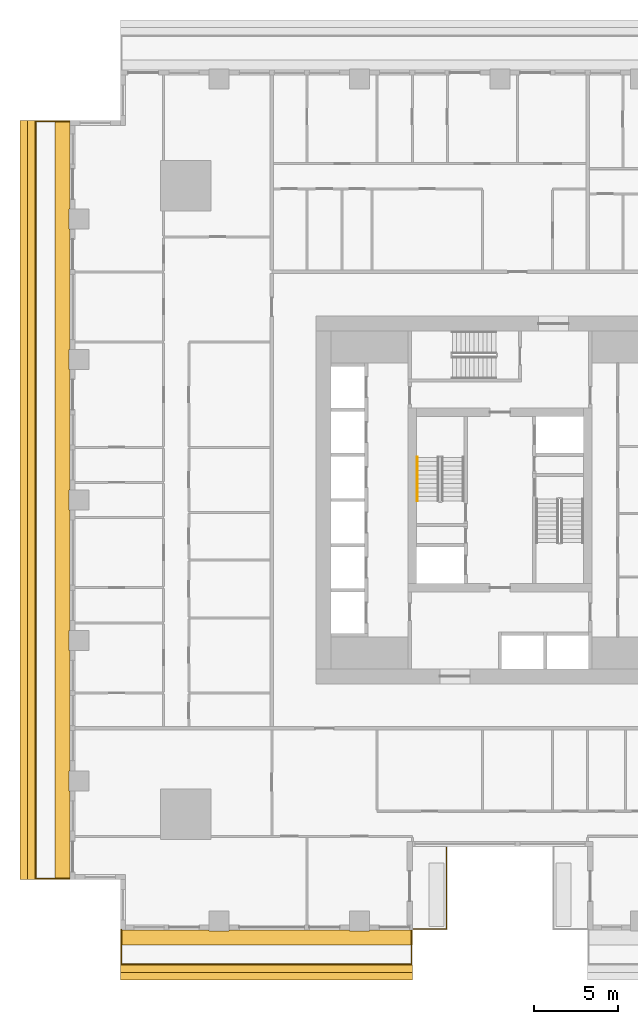
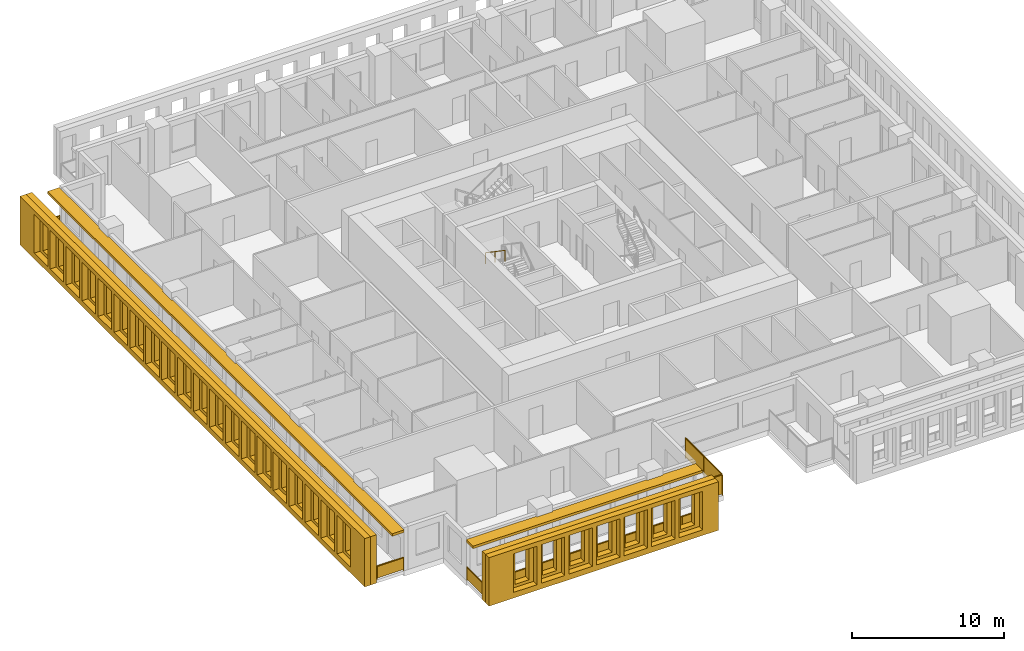
# One storey, part 11 of 15: 6 shading devices, 4 railings.
"""IFC4 building model written with IfcOpenShell, lengths in metres."""

from ifc_helpers import new_model, si_unit, direction, frame, origin, origin_2d, place, context, subcontext, project, spatial, polyline, rectangle, outline, extrude, material, layer, layer_set, type_object, element, save


model = new_model("IFC4")

# Units and contexts
model_context = context("Model", 3, precision=1e-05, world=origin(), true_north=direction((0.0, 1.0)))
body_context = subcontext(model_context, "Body", "Model", "MODEL_VIEW")
ifc_project = project(units=[si_unit("LENGTHUNIT", "METRE"), si_unit("AREAUNIT", "SQUARE_METRE"), si_unit("VOLUMEUNIT", "CUBIC_METRE"), si_unit("PLANEANGLEUNIT", "RADIAN"), si_unit("MASSUNIT", "GRAM", prefix="KILO")], contexts=[model_context])

# Site, building, storey
site_placement = place(None, origin())
site = spatial("IfcSite", under=ifc_project, at=site_placement, CompositionType="ELEMENT")
building_placement = place(site_placement, origin())
building = spatial("IfcBuilding", under=site, at=building_placement, Name="Khepri Terraces", CompositionType="ELEMENT")
storey_placement = place(building_placement, frame((0.0, 0.0, 34.800048828125)))
storey = spatial("IfcBuildingStorey", under=building, at=storey_placement, Name="L07", CompositionType="ELEMENT", Elevation=34.800048828125)

# Railings
ifc_material_1 = material(Name="Stainless steel grade 316", Category="steel")
railing_type_1 = type_object("IfcRailingType", Name="GRD-BAL-1100", PredefinedType="GUARDRAIL", material=ifc_material_1)
railing_1_placement = place(storey_placement, frame((-22.669921875, -25.719970703125, 0.0)))
element("IfcRailing", 1, at=railing_1_placement, inside=storey, type_object=railing_type_1, Name="Balcony guard L07 S", PredefinedType="GUARDRAIL", context=body_context, shape_type="SweptSolid", body=[
    extrude(rectangle(XDim=0.050048828125, YDim=0.06005859375, at=origin_2d()), frame((0.0, 0.0, 1.070068359375), z_axis=(0.0, -1.0, 0.0), x_axis=(1.0, 0.0, 0.0)), (0.0, 0.0, 1.0), 2.050048828125),
    extrude(rectangle(XDim=2.0, YDim=0.011962890625, at=origin_2d()), frame((0.0, -1.02490234375, 0.10009765625), z_axis=(0.0, 0.0, 1.0), x_axis=(0.0, -1.0, 0.0)), (0.0, 0.0, 1.0), 0.93994140625),
    extrude(rectangle(XDim=0.050048828125, YDim=0.06005859375, at=origin_2d()), frame((0.0, -2.050048828125, 1.070068359375), z_axis=(1.0, 0.0, 0.0), x_axis=(0.0, 1.0, 0.0)), (0.0, 0.0, 1.0), 17.369873046875),
    extrude(rectangle(XDim=2.12109375, YDim=0.011962890625, at=origin_2d()), frame((1.085693359375, -2.050048828125, 0.10009765625), z_axis=(0.0, 0.0, 1.0), x_axis=(1.0, 0.0, 0.0)), (0.0, 0.0, 1.0), 0.93994140625),
    extrude(rectangle(XDim=2.12109375, YDim=0.011962890625, at=origin_2d()), frame((3.2568359375, -2.050048828125, 0.10009765625), z_axis=(0.0, 0.0, 1.0), x_axis=(1.0, 0.0, 0.0)), (0.0, 0.0, 1.0), 0.93994140625),
    extrude(rectangle(XDim=2.12109375, YDim=0.011962890625, at=origin_2d()), frame((5.427978515625, -2.050048828125, 0.10009765625), z_axis=(0.0, 0.0, 1.0), x_axis=(1.0, 0.0, 0.0)), (0.0, 0.0, 1.0), 0.93994140625),
    extrude(rectangle(XDim=2.12109375, YDim=0.011962890625, at=origin_2d()), frame((7.599365234375, -2.050048828125, 0.10009765625), z_axis=(0.0, 0.0, 1.0), x_axis=(1.0, 0.0, 0.0)), (0.0, 0.0, 1.0), 0.93994140625),
    extrude(rectangle(XDim=2.12109375, YDim=0.011962890625, at=origin_2d()), frame((9.7705078125, -2.050048828125, 0.10009765625), z_axis=(0.0, 0.0, 1.0), x_axis=(1.0, 0.0, 0.0)), (0.0, 0.0, 1.0), 0.93994140625),
    extrude(rectangle(XDim=2.12109375, YDim=0.011962890625, at=origin_2d()), frame((11.94189453125, -2.050048828125, 0.10009765625), z_axis=(0.0, 0.0, 1.0), x_axis=(1.0, 0.0, 0.0)), (0.0, 0.0, 1.0), 0.93994140625),
    extrude(rectangle(XDim=2.12109375, YDim=0.011962890625, at=origin_2d()), frame((14.113037109375, -2.050048828125, 0.10009765625), z_axis=(0.0, 0.0, 1.0), x_axis=(1.0, 0.0, 0.0)), (0.0, 0.0, 1.0), 0.93994140625),
    extrude(rectangle(XDim=2.12109375, YDim=0.011962890625, at=origin_2d()), frame((16.2841796875, -2.050048828125, 0.10009765625), z_axis=(0.0, 0.0, 1.0), x_axis=(1.0, 0.0, 0.0)), (0.0, 0.0, 1.0), 0.93994140625),
    extrude(rectangle(XDim=0.050048828125, YDim=0.06005859375, at=origin_2d()), frame((17.369873046875, -2.050048828125, 1.070068359375), z_axis=(0.0, 1.0, 0.0), x_axis=(-1.0, 0.0, 0.0)), (0.0, 0.0, 1.0), 2.050048828125),
    extrude(rectangle(XDim=2.0, YDim=0.011962890625, at=origin_2d()), frame((17.369873046875, -1.02490234375, 0.10009765625), z_axis=(0.0, 0.0, 1.0), x_axis=(0.0, 1.0, 0.0)), (0.0, 0.0, 1.0), 0.93994140625),
    extrude(rectangle(XDim=0.050048828125, YDim=0.050048828125, at=origin_2d()), origin(), (0.0, 0.0, 1.0), 1.0400390625),
    extrude(rectangle(XDim=0.050048828125, YDim=0.050048828125, at=origin_2d()), frame((0.0, -2.050048828125, 0.0)), (0.0, 0.0, 1.0), 1.0400390625),
    extrude(rectangle(XDim=0.050048828125, YDim=0.050048828125, at=origin_2d()), frame((2.171142578125, -2.050048828125, 0.0)), (0.0, 0.0, 1.0), 1.0400390625),
    extrude(rectangle(XDim=0.050048828125, YDim=0.050048828125, at=origin_2d()), frame((4.342529296875, -2.050048828125, 0.0)), (0.0, 0.0, 1.0), 1.0400390625),
    extrude(rectangle(XDim=0.050048828125, YDim=0.050048828125, at=origin_2d()), frame((6.513671875, -2.050048828125, 0.0)), (0.0, 0.0, 1.0), 1.0400390625),
    extrude(rectangle(XDim=0.050048828125, YDim=0.050048828125, at=origin_2d()), frame((8.68505859375, -2.050048828125, 0.0)), (0.0, 0.0, 1.0), 1.0400390625),
    extrude(rectangle(XDim=0.050048828125, YDim=0.050048828125, at=origin_2d()), frame((10.856201171875, -2.050048828125, 0.0)), (0.0, 0.0, 1.0), 1.0400390625),
    extrude(rectangle(XDim=0.050048828125, YDim=0.050048828125, at=origin_2d()), frame((13.02734375, -2.050048828125, 0.0)), (0.0, 0.0, 1.0), 1.0400390625),
    extrude(rectangle(XDim=0.050048828125, YDim=0.050048828125, at=origin_2d()), frame((15.19873046875, -2.050048828125, 0.0)), (0.0, 0.0, 1.0), 1.0400390625),
    extrude(rectangle(XDim=0.050048828125, YDim=0.050048828125, at=origin_2d()), frame((17.369873046875, -2.050048828125, 0.0)), (0.0, 0.0, 1.0), 1.0400390625),
    extrude(rectangle(XDim=0.050048828125, YDim=0.050048828125, at=origin_2d()), frame((17.369873046875, 0.0, 0.0)), (0.0, 0.0, 1.0), 1.0400390625),
])
railing_2_placement = place(storey_placement, frame((-25.719970703125, 22.669921875, 0.0)))
element("IfcRailing", 2, at=railing_2_placement, inside=storey, type_object=railing_type_1, Name="Balcony guard L07 W", PredefinedType="GUARDRAIL", context=body_context, shape_type="SweptSolid", body=[
    extrude(rectangle(XDim=0.050048828125, YDim=0.06005859375, at=origin_2d()), frame((0.0, 0.0, 1.070068359375), z_axis=(-1.0, 0.0, 0.0), x_axis=(0.0, -1.0, 0.0)), (0.0, 0.0, 1.0), 2.050048828125),
    extrude(rectangle(XDim=2.0, YDim=0.011962890625, at=origin_2d()), frame((-1.02490234375, 0.0, 0.10009765625), z_axis=(0.0, 0.0, 1.0), x_axis=(-1.0, 0.0, 0.0)), (0.0, 0.0, 1.0), 0.93994140625),
    extrude(rectangle(XDim=0.050048828125, YDim=0.06005859375, at=origin_2d()), frame((-2.050048828125, 0.0, 1.070068359375), z_axis=(0.0, -1.0, 0.0), x_axis=(1.0, 0.0, 0.0)), (0.0, 0.0, 1.0), 45.33984375),
    extrude(rectangle(XDim=2.336181640625, YDim=0.011962890625, at=origin_2d()), frame((-2.050048828125, -1.193115234375, 0.10009765625), z_axis=(0.0, 0.0, 1.0), x_axis=(0.0, -1.0, 0.0)), (0.0, 0.0, 1.0), 0.93994140625),
    extrude(rectangle(XDim=2.336181640625, YDim=0.011962890625, at=origin_2d()), frame((-2.050048828125, -3.579345703125, 0.10009765625), z_axis=(0.0, 0.0, 1.0), x_axis=(0.0, -1.0, 0.0)), (0.0, 0.0, 1.0), 0.93994140625),
    extrude(rectangle(XDim=2.336181640625, YDim=0.011962890625, at=origin_2d()), frame((-2.050048828125, -5.9658203125, 0.10009765625), z_axis=(0.0, 0.0, 1.0), x_axis=(0.0, -1.0, 0.0)), (0.0, 0.0, 1.0), 0.93994140625),
    extrude(rectangle(XDim=2.336181640625, YDim=0.011962890625, at=origin_2d()), frame((-2.050048828125, -8.35205078125, 0.10009765625), z_axis=(0.0, 0.0, 1.0), x_axis=(0.0, -1.0, 0.0)), (0.0, 0.0, 1.0), 0.93994140625),
    extrude(rectangle(XDim=2.336181640625, YDim=0.011962890625, at=origin_2d()), frame((-2.050048828125, -10.73828125, 0.10009765625), z_axis=(0.0, 0.0, 1.0), x_axis=(0.0, -1.0, 0.0)), (0.0, 0.0, 1.0), 0.93994140625),
    extrude(rectangle(XDim=2.336181640625, YDim=0.011962890625, at=origin_2d()), frame((-2.050048828125, -13.124755859375, 0.10009765625), z_axis=(0.0, 0.0, 1.0), x_axis=(0.0, -1.0, 0.0)), (0.0, 0.0, 1.0), 0.93994140625),
    extrude(rectangle(XDim=2.336181640625, YDim=0.011962890625, at=origin_2d()), frame((-2.050048828125, -15.510986328125, 0.10009765625), z_axis=(0.0, 0.0, 1.0), x_axis=(0.0, -1.0, 0.0)), (0.0, 0.0, 1.0), 0.93994140625),
    extrude(rectangle(XDim=2.336181640625, YDim=0.011962890625, at=origin_2d()), frame((-2.050048828125, -17.897216796875, 0.10009765625), z_axis=(0.0, 0.0, 1.0), x_axis=(0.0, -1.0, 0.0)), (0.0, 0.0, 1.0), 0.93994140625),
    extrude(rectangle(XDim=2.336181640625, YDim=0.011962890625, at=origin_2d()), frame((-2.050048828125, -20.28369140625, 0.10009765625), z_axis=(0.0, 0.0, 1.0), x_axis=(0.0, -1.0, 0.0)), (0.0, 0.0, 1.0), 0.93994140625),
    extrude(rectangle(XDim=2.336181640625, YDim=0.011962890625, at=origin_2d()), frame((-2.050048828125, -22.669921875, 0.10009765625), z_axis=(0.0, 0.0, 1.0), x_axis=(0.0, -1.0, 0.0)), (0.0, 0.0, 1.0), 0.93994140625),
    extrude(rectangle(XDim=2.336181640625, YDim=0.011962890625, at=origin_2d()), frame((-2.050048828125, -25.05615234375, 0.10009765625), z_axis=(0.0, 0.0, 1.0), x_axis=(0.0, -1.0, 0.0)), (0.0, 0.0, 1.0), 0.93994140625),
    extrude(rectangle(XDim=2.336181640625, YDim=0.011962890625, at=origin_2d()), frame((-2.050048828125, -27.442626953125, 0.10009765625), z_axis=(0.0, 0.0, 1.0), x_axis=(0.0, -1.0, 0.0)), (0.0, 0.0, 1.0), 0.93994140625),
    extrude(rectangle(XDim=2.336181640625, YDim=0.011962890625, at=origin_2d()), frame((-2.050048828125, -29.828857421875, 0.10009765625), z_axis=(0.0, 0.0, 1.0), x_axis=(0.0, -1.0, 0.0)), (0.0, 0.0, 1.0), 0.93994140625),
    extrude(rectangle(XDim=2.336181640625, YDim=0.011962890625, at=origin_2d()), frame((-2.050048828125, -32.215087890625, 0.10009765625), z_axis=(0.0, 0.0, 1.0), x_axis=(0.0, -1.0, 0.0)), (0.0, 0.0, 1.0), 0.93994140625),
    extrude(rectangle(XDim=2.336181640625, YDim=0.011962890625, at=origin_2d()), frame((-2.050048828125, -34.6015625, 0.10009765625), z_axis=(0.0, 0.0, 1.0), x_axis=(0.0, -1.0, 0.0)), (0.0, 0.0, 1.0), 0.93994140625),
    extrude(rectangle(XDim=2.336181640625, YDim=0.011962890625, at=origin_2d()), frame((-2.050048828125, -36.98779296875, 0.10009765625), z_axis=(0.0, 0.0, 1.0), x_axis=(0.0, -1.0, 0.0)), (0.0, 0.0, 1.0), 0.93994140625),
    extrude(rectangle(XDim=2.336181640625, YDim=0.011962890625, at=origin_2d()), frame((-2.050048828125, -39.3740234375, 0.10009765625), z_axis=(0.0, 0.0, 1.0), x_axis=(0.0, -1.0, 0.0)), (0.0, 0.0, 1.0), 0.93994140625),
    extrude(rectangle(XDim=2.336181640625, YDim=0.011962890625, at=origin_2d()), frame((-2.050048828125, -41.760498046875, 0.10009765625), z_axis=(0.0, 0.0, 1.0), x_axis=(0.0, -1.0, 0.0)), (0.0, 0.0, 1.0), 0.93994140625),
    extrude(rectangle(XDim=2.336181640625, YDim=0.011962890625, at=origin_2d()), frame((-2.050048828125, -44.146728515625, 0.10009765625), z_axis=(0.0, 0.0, 1.0), x_axis=(0.0, -1.0, 0.0)), (0.0, 0.0, 1.0), 0.93994140625),
    extrude(rectangle(XDim=0.050048828125, YDim=0.06005859375, at=origin_2d()), frame((-2.050048828125, -45.33984375, 1.070068359375), z_axis=(1.0, 0.0, 0.0), x_axis=(0.0, 1.0, 0.0)), (0.0, 0.0, 1.0), 2.050048828125),
    extrude(rectangle(XDim=2.0, YDim=0.011962890625, at=origin_2d()), frame((-1.02490234375, -45.33984375, 0.10009765625), z_axis=(0.0, 0.0, 1.0), x_axis=(1.0, 0.0, 0.0)), (0.0, 0.0, 1.0), 0.93994140625),
    extrude(rectangle(XDim=0.050048828125, YDim=0.050048828125, at=origin_2d()), origin(), (0.0, 0.0, 1.0), 1.0400390625),
    extrude(rectangle(XDim=0.050048828125, YDim=0.050048828125, at=origin_2d()), frame((-2.050048828125, 0.0, 0.0)), (0.0, 0.0, 1.0), 1.0400390625),
    extrude(rectangle(XDim=0.050048828125, YDim=0.050048828125, at=origin_2d()), frame((-2.050048828125, -2.38623046875, 0.0)), (0.0, 0.0, 1.0), 1.0400390625),
    extrude(rectangle(XDim=0.050048828125, YDim=0.050048828125, at=origin_2d()), frame((-2.050048828125, -4.772705078125, 0.0)), (0.0, 0.0, 1.0), 1.0400390625),
    extrude(rectangle(XDim=0.050048828125, YDim=0.050048828125, at=origin_2d()), frame((-2.050048828125, -7.158935546875, 0.0)), (0.0, 0.0, 1.0), 1.0400390625),
    extrude(rectangle(XDim=0.050048828125, YDim=0.050048828125, at=origin_2d()), frame((-2.050048828125, -9.545166015625, 0.0)), (0.0, 0.0, 1.0), 1.0400390625),
    extrude(rectangle(XDim=0.050048828125, YDim=0.050048828125, at=origin_2d()), frame((-2.050048828125, -11.931640625, 0.0)), (0.0, 0.0, 1.0), 1.0400390625),
    extrude(rectangle(XDim=0.050048828125, YDim=0.050048828125, at=origin_2d()), frame((-2.050048828125, -14.31787109375, 0.0)), (0.0, 0.0, 1.0), 1.0400390625),
    extrude(rectangle(XDim=0.050048828125, YDim=0.050048828125, at=origin_2d()), frame((-2.050048828125, -16.7041015625, 0.0)), (0.0, 0.0, 1.0), 1.0400390625),
    extrude(rectangle(XDim=0.050048828125, YDim=0.050048828125, at=origin_2d()), frame((-2.050048828125, -19.090576171875, 0.0)), (0.0, 0.0, 1.0), 1.0400390625),
    extrude(rectangle(XDim=0.050048828125, YDim=0.050048828125, at=origin_2d()), frame((-2.050048828125, -21.476806640625, 0.0)), (0.0, 0.0, 1.0), 1.0400390625),
    extrude(rectangle(XDim=0.050048828125, YDim=0.050048828125, at=origin_2d()), frame((-2.050048828125, -23.863037109375, 0.0)), (0.0, 0.0, 1.0), 1.0400390625),
    extrude(rectangle(XDim=0.050048828125, YDim=0.050048828125, at=origin_2d()), frame((-2.050048828125, -26.249267578125, 0.0)), (0.0, 0.0, 1.0), 1.0400390625),
    extrude(rectangle(XDim=0.050048828125, YDim=0.050048828125, at=origin_2d()), frame((-2.050048828125, -28.6357421875, 0.0)), (0.0, 0.0, 1.0), 1.0400390625),
    extrude(rectangle(XDim=0.050048828125, YDim=0.050048828125, at=origin_2d()), frame((-2.050048828125, -31.02197265625, 0.0)), (0.0, 0.0, 1.0), 1.0400390625),
    extrude(rectangle(XDim=0.050048828125, YDim=0.050048828125, at=origin_2d()), frame((-2.050048828125, -33.408203125, 0.0)), (0.0, 0.0, 1.0), 1.0400390625),
    extrude(rectangle(XDim=0.050048828125, YDim=0.050048828125, at=origin_2d()), frame((-2.050048828125, -35.794677734375, 0.0)), (0.0, 0.0, 1.0), 1.0400390625),
    extrude(rectangle(XDim=0.050048828125, YDim=0.050048828125, at=origin_2d()), frame((-2.050048828125, -38.180908203125, 0.0)), (0.0, 0.0, 1.0), 1.0400390625),
    extrude(rectangle(XDim=0.050048828125, YDim=0.050048828125, at=origin_2d()), frame((-2.050048828125, -40.567138671875, 0.0)), (0.0, 0.0, 1.0), 1.0400390625),
    extrude(rectangle(XDim=0.050048828125, YDim=0.050048828125, at=origin_2d()), frame((-2.050048828125, -42.95361328125, 0.0)), (0.0, 0.0, 1.0), 1.0400390625),
    extrude(rectangle(XDim=0.050048828125, YDim=0.050048828125, at=origin_2d()), frame((-2.050048828125, -45.33984375, 0.0)), (0.0, 0.0, 1.0), 1.0400390625),
    extrude(rectangle(XDim=0.050048828125, YDim=0.050048828125, at=origin_2d()), frame((0.0, -45.33984375, 0.0)), (0.0, 0.0, 1.0), 1.0400390625),
])
railing_type_2 = type_object("IfcRailingType", Name="GRD-TERR-1700", PredefinedType="GUARDRAIL", material=ifc_material_1)
railing_3_placement = place(storey_placement, frame((-3.199951171875, -20.7900390625, 0.0)))
element("IfcRailing", 3, at=railing_3_placement, inside=storey, type_object=railing_type_2, Name="Terrace guard L07", PredefinedType="GUARDRAIL", context=body_context, shape_type="SweptSolid", body=[
    extrude(rectangle(XDim=0.050048828125, YDim=0.06005859375, at=origin_2d()), frame((0.0, 0.0, 1.669921875), z_axis=(0.0, -1.0, 0.0), x_axis=(1.0, 0.0, 0.0)), (0.0, 0.0, 1.0), 4.8798828125),
    extrude(rectangle(XDim=2.389892578125, YDim=0.011962890625, at=origin_2d()), frame((0.0, -1.219970703125, 0.10009765625), z_axis=(0.0, 0.0, 1.0), x_axis=(0.0, -1.0, 0.0)), (0.0, 0.0, 1.0), 1.539794921875),
    extrude(rectangle(XDim=2.389892578125, YDim=0.011962890625, at=origin_2d()), frame((0.0, -3.659912109375, 0.10009765625), z_axis=(0.0, 0.0, 1.0), x_axis=(0.0, -1.0, 0.0)), (0.0, 0.0, 1.0), 1.539794921875),
    extrude(rectangle(XDim=0.050048828125, YDim=0.06005859375, at=origin_2d()), frame((0.0, -4.8798828125, 1.669921875), z_axis=(-1.0, 0.0, 0.0), x_axis=(0.0, -1.0, 0.0)), (0.0, 0.0, 1.0), 1.97998046875),
    extrude(rectangle(XDim=1.929931640625, YDim=0.011962890625, at=origin_2d()), frame((-0.989990234375, -4.8798828125, 0.10009765625), z_axis=(0.0, 0.0, 1.0), x_axis=(-1.0, 0.0, 0.0)), (0.0, 0.0, 1.0), 1.539794921875),
    extrude(rectangle(XDim=0.050048828125, YDim=0.050048828125, at=origin_2d()), origin(), (0.0, 0.0, 1.0), 1.639892578125),
    extrude(rectangle(XDim=0.050048828125, YDim=0.050048828125, at=origin_2d()), frame((0.0, -2.43994140625, 0.0)), (0.0, 0.0, 1.0), 1.639892578125),
    extrude(rectangle(XDim=0.050048828125, YDim=0.050048828125, at=origin_2d()), frame((0.0, -4.8798828125, 0.0)), (0.0, 0.0, 1.0), 1.639892578125),
    extrude(rectangle(XDim=0.050048828125, YDim=0.050048828125, at=origin_2d()), frame((-1.97998046875, -4.8798828125, 0.0)), (0.0, 0.0, 1.0), 1.639892578125),
])
ifc_material_2 = material(Name="Stainless steel 316", Category="steel")
railing_type_3 = type_object("IfcRailingType", Name="RL-CORE-HANDRAIL", PredefinedType="HANDRAIL", material=ifc_material_2)
railing_4_placement = place(storey_placement, frame((-4.949951171875, 2.550048828125, 2.127197265625)))
element("IfcRailing", 4, at=railing_4_placement, inside=storey, type_object=railing_type_3, Name="L07 ST-1 stair handrail 2", PredefinedType="HANDRAIL", context=body_context, shape_type="SweptSolid", body=[
    extrude(rectangle(XDim=0.050048828125, YDim=0.050048828125, at=origin_2d()), frame((0.0, 0.0, 0.875), z_axis=(0.0, -0.826240473404, 0.563317565952), x_axis=(1.0, 0.0, 0.0)), (0.0, 0.0, 1.0), 3.14697265625),
    extrude(rectangle(XDim=0.050048828125, YDim=0.050048828125, at=origin_2d()), origin(), (0.0, 0.0, 1.0), 0.849853515625),
    extrude(rectangle(XDim=0.050048828125, YDim=0.050048828125, at=origin_2d()), frame((0.0, -1.300048828125, 0.88623046875)), (0.0, 0.0, 1.0), 0.849853515625),
    extrude(rectangle(XDim=0.050048828125, YDim=0.050048828125, at=origin_2d()), frame((0.0, -2.60009765625, 1.772705078125)), (0.0, 0.0, 1.0), 0.849853515625),
])

# Shading devices
ifc_material_3 = material(Name="Precast concrete C50/60 warm stone", Category="masonry")
shading_device_type_1 = type_object("IfcShadingDeviceType", Name="SCR-CELL-INNER-450", PredefinedType="USERDEFINED", material=ifc_material_3)
shading_device_1_placement = place(storey_placement, frame((-22.719970703125, -27.820068359375, -0.25), z_axis=(0.0, -1.0, 0.0), x_axis=(1.0, 0.0, 0.0)))
element("IfcShadingDevice", 5, at=shading_device_1_placement, inside=storey, type_object=shading_device_type_1, Name="Cell screen L07 S in", ObjectType="SCREEN", PredefinedType="USERDEFINED", context=body_context, shape_type="SweptSolid", body=[
    extrude(outline(polyline([(0.0, 0.0), (17.469970703125, 0.0), (17.469970703125, 3.89990234375), (0.0, 3.89990234375), (0.0, 0.0)]), holes=[polyline([(0.126708984375, 0.699951171875), (1.21337890625, 0.699951171875), (1.21337890625, 3.300048828125), (0.126708984375, 3.300048828125), (0.126708984375, 0.699951171875)]), polyline([(2.2265625, 0.699951171875), (3.3134765625, 0.699951171875), (3.3134765625, 3.300048828125), (2.2265625, 3.300048828125), (2.2265625, 0.699951171875)]), polyline([(4.32666015625, 0.699951171875), (5.413330078125, 0.699951171875), (5.413330078125, 3.300048828125), (4.32666015625, 3.300048828125), (4.32666015625, 0.699951171875)]), polyline([(6.426513671875, 0.699951171875), (7.513427734375, 0.699951171875), (7.513427734375, 3.300048828125), (6.426513671875, 3.300048828125), (6.426513671875, 0.699951171875)]), polyline([(8.526611328125, 0.699951171875), (9.61328125, 0.699951171875), (9.61328125, 3.300048828125), (8.526611328125, 3.300048828125), (8.526611328125, 0.699951171875)]), polyline([(10.626708984375, 0.699951171875), (11.71337890625, 0.699951171875), (11.71337890625, 3.300048828125), (10.626708984375, 3.300048828125), (10.626708984375, 0.699951171875)]), polyline([(12.7265625, 0.699951171875), (13.8134765625, 0.699951171875), (13.8134765625, 3.300048828125), (12.7265625, 3.300048828125), (12.7265625, 0.699951171875)]), polyline([(14.82666015625, 0.699951171875), (15.913330078125, 0.699951171875), (15.913330078125, 3.300048828125), (14.82666015625, 3.300048828125), (14.82666015625, 0.699951171875)])]), origin(), (0.0, 0.0, 1.0), 0.449951171875),
])
shading_device_2_placement = place(storey_placement, frame((-27.820068359375, 22.719970703125, -0.25), z_axis=(-1.0, 0.0, 0.0), x_axis=(0.0, -1.0, 0.0)))
element("IfcShadingDevice", 6, at=shading_device_2_placement, inside=storey, type_object=shading_device_type_1, Name="Cell screen L07 W in", ObjectType="SCREEN", PredefinedType="USERDEFINED", context=body_context, shape_type="SweptSolid", body=[
    extrude(outline(polyline([(0.0, 0.0), (45.43994140625, 0.0), (45.43994140625, 3.89990234375), (0.0, 3.89990234375), (0.0, 0.0)]), holes=[polyline([(0.126708984375, 0.699951171875), (1.21337890625, 0.699951171875), (1.21337890625, 3.300048828125), (0.126708984375, 3.300048828125), (0.126708984375, 0.699951171875)]), polyline([(2.2265625, 0.699951171875), (3.3134765625, 0.699951171875), (3.3134765625, 3.300048828125), (2.2265625, 3.300048828125), (2.2265625, 0.699951171875)]), polyline([(4.32666015625, 0.699951171875), (5.413330078125, 0.699951171875), (5.413330078125, 3.300048828125), (4.32666015625, 3.300048828125), (4.32666015625, 0.699951171875)]), polyline([(6.426513671875, 0.699951171875), (7.513427734375, 0.699951171875), (7.513427734375, 3.300048828125), (6.426513671875, 3.300048828125), (6.426513671875, 0.699951171875)]), polyline([(8.526611328125, 0.699951171875), (9.61328125, 0.699951171875), (9.61328125, 3.300048828125), (8.526611328125, 3.300048828125), (8.526611328125, 0.699951171875)]), polyline([(10.626708984375, 0.699951171875), (11.71337890625, 0.699951171875), (11.71337890625, 3.300048828125), (10.626708984375, 3.300048828125), (10.626708984375, 0.699951171875)]), polyline([(12.7265625, 0.699951171875), (13.8134765625, 0.699951171875), (13.8134765625, 3.300048828125), (12.7265625, 3.300048828125), (12.7265625, 0.699951171875)]), polyline([(14.82666015625, 0.699951171875), (15.913330078125, 0.699951171875), (15.913330078125, 3.300048828125), (14.82666015625, 3.300048828125), (14.82666015625, 0.699951171875)]), polyline([(16.926513671875, 0.699951171875), (18.013427734375, 0.699951171875), (18.013427734375, 3.300048828125), (16.926513671875, 3.300048828125), (16.926513671875, 0.699951171875)]), polyline([(19.026611328125, 0.699951171875), (20.11328125, 0.699951171875), (20.11328125, 3.300048828125), (19.026611328125, 3.300048828125), (19.026611328125, 0.699951171875)]), polyline([(21.126708984375, 0.699951171875), (22.21337890625, 0.699951171875), (22.21337890625, 3.300048828125), (21.126708984375, 3.300048828125), (21.126708984375, 0.699951171875)]), polyline([(23.2265625, 0.699951171875), (24.3134765625, 0.699951171875), (24.3134765625, 3.300048828125), (23.2265625, 3.300048828125), (23.2265625, 0.699951171875)]), polyline([(25.32666015625, 0.699951171875), (26.413330078125, 0.699951171875), (26.413330078125, 3.300048828125), (25.32666015625, 3.300048828125), (25.32666015625, 0.699951171875)]), polyline([(27.426513671875, 0.699951171875), (28.513427734375, 0.699951171875), (28.513427734375, 3.300048828125), (27.426513671875, 3.300048828125), (27.426513671875, 0.699951171875)]), polyline([(29.526611328125, 0.699951171875), (30.61328125, 0.699951171875), (30.61328125, 3.300048828125), (29.526611328125, 3.300048828125), (29.526611328125, 0.699951171875)]), polyline([(31.626708984375, 0.699951171875), (32.71337890625, 0.699951171875), (32.71337890625, 3.300048828125), (31.626708984375, 3.300048828125), (31.626708984375, 0.699951171875)]), polyline([(33.7265625, 0.699951171875), (34.8134765625, 0.699951171875), (34.8134765625, 3.300048828125), (33.7265625, 3.300048828125), (33.7265625, 0.699951171875)]), polyline([(35.82666015625, 0.699951171875), (36.913330078125, 0.699951171875), (36.913330078125, 3.300048828125), (35.82666015625, 3.300048828125), (35.82666015625, 0.699951171875)]), polyline([(37.926513671875, 0.699951171875), (39.013427734375, 0.699951171875), (39.013427734375, 3.300048828125), (37.926513671875, 3.300048828125), (37.926513671875, 0.699951171875)]), polyline([(40.026611328125, 0.699951171875), (41.11328125, 0.699951171875), (41.11328125, 3.300048828125), (40.026611328125, 3.300048828125), (40.026611328125, 0.699951171875)]), polyline([(42.126708984375, 0.699951171875), (43.21337890625, 0.699951171875), (43.21337890625, 3.300048828125), (42.126708984375, 3.300048828125), (42.126708984375, 0.699951171875)]), polyline([(44.2265625, 0.699951171875), (45.3134765625, 0.699951171875), (45.3134765625, 3.300048828125), (44.2265625, 3.300048828125), (44.2265625, 0.699951171875)])]), origin(), (0.0, 0.0, 1.0), 0.449951171875),
])
shading_device_type_2 = type_object("IfcShadingDeviceType", Name="SCR-CELL-OUTER-450", PredefinedType="USERDEFINED", material=ifc_material_3)
shading_device_3_placement = place(storey_placement, frame((-22.719970703125, -28.27001953125, -0.25), z_axis=(0.0, -1.0, 0.0), x_axis=(1.0, 0.0, 0.0)))
element("IfcShadingDevice", 7, at=shading_device_3_placement, inside=storey, type_object=shading_device_type_2, Name="Cell screen L07 S out", ObjectType="SCREEN", PredefinedType="USERDEFINED", context=body_context, shape_type="SweptSolid", body=[
    extrude(outline(polyline([(0.0, 0.0), (17.469970703125, 0.0), (17.469970703125, 3.89990234375), (0.0, 3.89990234375), (0.0, 0.0)]), holes=[polyline([(1.876708984375, 0.449951171875), (3.663330078125, 0.449951171875), (3.663330078125, 3.550048828125), (1.876708984375, 3.550048828125), (1.876708984375, 0.449951171875)]), polyline([(3.9765625, 0.449951171875), (5.763427734375, 0.449951171875), (5.763427734375, 3.550048828125), (3.9765625, 3.550048828125), (3.9765625, 0.449951171875)]), polyline([(6.07666015625, 0.449951171875), (7.86328125, 0.449951171875), (7.86328125, 3.550048828125), (6.07666015625, 3.550048828125), (6.07666015625, 0.449951171875)]), polyline([(8.176513671875, 0.449951171875), (9.96337890625, 0.449951171875), (9.96337890625, 3.550048828125), (8.176513671875, 3.550048828125), (8.176513671875, 0.449951171875)]), polyline([(10.276611328125, 0.449951171875), (12.0634765625, 0.449951171875), (12.0634765625, 3.550048828125), (10.276611328125, 3.550048828125), (10.276611328125, 0.449951171875)]), polyline([(12.376708984375, 0.449951171875), (14.163330078125, 0.449951171875), (14.163330078125, 3.550048828125), (12.376708984375, 3.550048828125), (12.376708984375, 0.449951171875)]), polyline([(14.4765625, 0.449951171875), (16.263427734375, 0.449951171875), (16.263427734375, 3.550048828125), (14.4765625, 3.550048828125), (14.4765625, 0.449951171875)])]), origin(), (0.0, 0.0, 1.0), 0.449951171875),
])
shading_device_4_placement = place(storey_placement, frame((-28.27001953125, 22.719970703125, -0.25), z_axis=(-1.0, 0.0, 0.0), x_axis=(0.0, -1.0, 0.0)))
element("IfcShadingDevice", 8, at=shading_device_4_placement, inside=storey, type_object=shading_device_type_2, Name="Cell screen L07 W out", ObjectType="SCREEN", PredefinedType="USERDEFINED", context=body_context, shape_type="SweptSolid", body=[
    extrude(outline(polyline([(0.0, 0.0), (45.43994140625, 0.0), (45.43994140625, 3.89990234375), (0.0, 3.89990234375), (0.0, 0.0)]), holes=[polyline([(1.876708984375, 0.449951171875), (3.663330078125, 0.449951171875), (3.663330078125, 3.550048828125), (1.876708984375, 3.550048828125), (1.876708984375, 0.449951171875)]), polyline([(3.9765625, 0.449951171875), (5.763427734375, 0.449951171875), (5.763427734375, 3.550048828125), (3.9765625, 3.550048828125), (3.9765625, 0.449951171875)]), polyline([(6.07666015625, 0.449951171875), (7.86328125, 0.449951171875), (7.86328125, 3.550048828125), (6.07666015625, 3.550048828125), (6.07666015625, 0.449951171875)]), polyline([(8.176513671875, 0.449951171875), (9.96337890625, 0.449951171875), (9.96337890625, 3.550048828125), (8.176513671875, 3.550048828125), (8.176513671875, 0.449951171875)]), polyline([(10.276611328125, 0.449951171875), (12.0634765625, 0.449951171875), (12.0634765625, 3.550048828125), (10.276611328125, 3.550048828125), (10.276611328125, 0.449951171875)]), polyline([(12.376708984375, 0.449951171875), (14.163330078125, 0.449951171875), (14.163330078125, 3.550048828125), (12.376708984375, 3.550048828125), (12.376708984375, 0.449951171875)]), polyline([(14.4765625, 0.449951171875), (16.263427734375, 0.449951171875), (16.263427734375, 3.550048828125), (14.4765625, 3.550048828125), (14.4765625, 0.449951171875)]), polyline([(16.57666015625, 0.449951171875), (18.36328125, 0.449951171875), (18.36328125, 3.550048828125), (16.57666015625, 3.550048828125), (16.57666015625, 0.449951171875)]), polyline([(18.676513671875, 0.449951171875), (20.46337890625, 0.449951171875), (20.46337890625, 3.550048828125), (18.676513671875, 3.550048828125), (18.676513671875, 0.449951171875)]), polyline([(20.776611328125, 0.449951171875), (22.5634765625, 0.449951171875), (22.5634765625, 3.550048828125), (20.776611328125, 3.550048828125), (20.776611328125, 0.449951171875)]), polyline([(22.876708984375, 0.449951171875), (24.663330078125, 0.449951171875), (24.663330078125, 3.550048828125), (22.876708984375, 3.550048828125), (22.876708984375, 0.449951171875)]), polyline([(24.9765625, 0.449951171875), (26.763427734375, 0.449951171875), (26.763427734375, 3.550048828125), (24.9765625, 3.550048828125), (24.9765625, 0.449951171875)]), polyline([(27.07666015625, 0.449951171875), (28.86328125, 0.449951171875), (28.86328125, 3.550048828125), (27.07666015625, 3.550048828125), (27.07666015625, 0.449951171875)]), polyline([(29.176513671875, 0.449951171875), (30.96337890625, 0.449951171875), (30.96337890625, 3.550048828125), (29.176513671875, 3.550048828125), (29.176513671875, 0.449951171875)]), polyline([(31.276611328125, 0.449951171875), (33.0634765625, 0.449951171875), (33.0634765625, 3.550048828125), (31.276611328125, 3.550048828125), (31.276611328125, 0.449951171875)]), polyline([(33.376708984375, 0.449951171875), (35.163330078125, 0.449951171875), (35.163330078125, 3.550048828125), (33.376708984375, 3.550048828125), (33.376708984375, 0.449951171875)]), polyline([(35.4765625, 0.449951171875), (37.263427734375, 0.449951171875), (37.263427734375, 3.550048828125), (35.4765625, 3.550048828125), (35.4765625, 0.449951171875)]), polyline([(37.57666015625, 0.449951171875), (39.36328125, 0.449951171875), (39.36328125, 3.550048828125), (37.57666015625, 3.550048828125), (37.57666015625, 0.449951171875)]), polyline([(39.676513671875, 0.449951171875), (41.46337890625, 0.449951171875), (41.46337890625, 3.550048828125), (39.676513671875, 3.550048828125), (39.676513671875, 0.449951171875)]), polyline([(41.776611328125, 0.449951171875), (43.5634765625, 0.449951171875), (43.5634765625, 3.550048828125), (41.776611328125, 3.550048828125), (41.776611328125, 0.449951171875)])]), origin(), (0.0, 0.0, 1.0), 0.449951171875),
])
ifc_layer = layer(ifc_material_3, 0.199951171875, Name="Precast concrete C50/60 warm stone", Category="masonry")
ifc_layer_set = layer_set([ifc_layer], Name="Precast concrete C50/60 warm stone")
shading_device_type_3 = type_object("IfcShadingDeviceType", Name="SSH-BAND-STONE-200", PredefinedType="USERDEFINED", material=ifc_layer_set)
shading_device_5_placement = place(storey_placement, frame((0.0, 0.0, 3.099853515625)))
element("IfcShadingDevice", 9, at=shading_device_5_placement, inside=storey, type_object=shading_device_type_3, Name="Sunshade band L07 S", ObjectType="SUNSHADE", PredefinedType="USERDEFINED", context=body_context, shape_type="SweptSolid", body=[
    extrude(outline(polyline([(-17.39990234375, -25.719970703125), (-22.719970703125, -25.719970703125), (-22.719970703125, -26.6201171875), (-5.25, -26.6201171875), (-5.25, -25.719970703125), (-7.800048828125, -25.719970703125), (-7.800048828125, -25.800048828125), (-9.0, -25.800048828125), (-9.0, -25.719970703125), (-16.199951171875, -25.719970703125), (-16.199951171875, -25.800048828125), (-17.39990234375, -25.800048828125), (-17.39990234375, -25.719970703125)])), origin(), (0.0, 0.0, 1.0), 0.2001953125),
])
shading_device_6_placement = place(storey_placement, frame((0.0, 0.0, 3.099853515625)))
element("IfcShadingDevice", 10, at=shading_device_6_placement, inside=storey, type_object=shading_device_type_3, Name="Sunshade band L07 W", ObjectType="SUNSHADE", PredefinedType="USERDEFINED", context=body_context, shape_type="SweptSolid", body=[
    extrude(outline(polyline([(-25.719970703125, 17.39990234375), (-25.719970703125, 22.719970703125), (-26.6201171875, 22.719970703125), (-26.6201171875, -22.719970703125), (-25.719970703125, -22.719970703125), (-25.719970703125, -17.39990234375), (-25.800048828125, -17.39990234375), (-25.800048828125, -16.199951171875), (-25.719970703125, -16.199951171875), (-25.719970703125, -9.0), (-25.800048828125, -9.0), (-25.800048828125, -7.800048828125), (-25.719970703125, -7.800048828125), (-25.719970703125, -0.60009765625), (-25.800048828125, -0.60009765625), (-25.800048828125, 0.60009765625), (-25.719970703125, 0.60009765625), (-25.719970703125, 7.800048828125), (-25.800048828125, 7.800048828125), (-25.800048828125, 9.0), (-25.719970703125, 9.0), (-25.719970703125, 16.199951171875), (-25.800048828125, 16.199951171875), (-25.800048828125, 17.39990234375), (-25.719970703125, 17.39990234375)])), origin(), (0.0, 0.0, 1.0), 0.2001953125),
])

save(model, "model.ifc")
